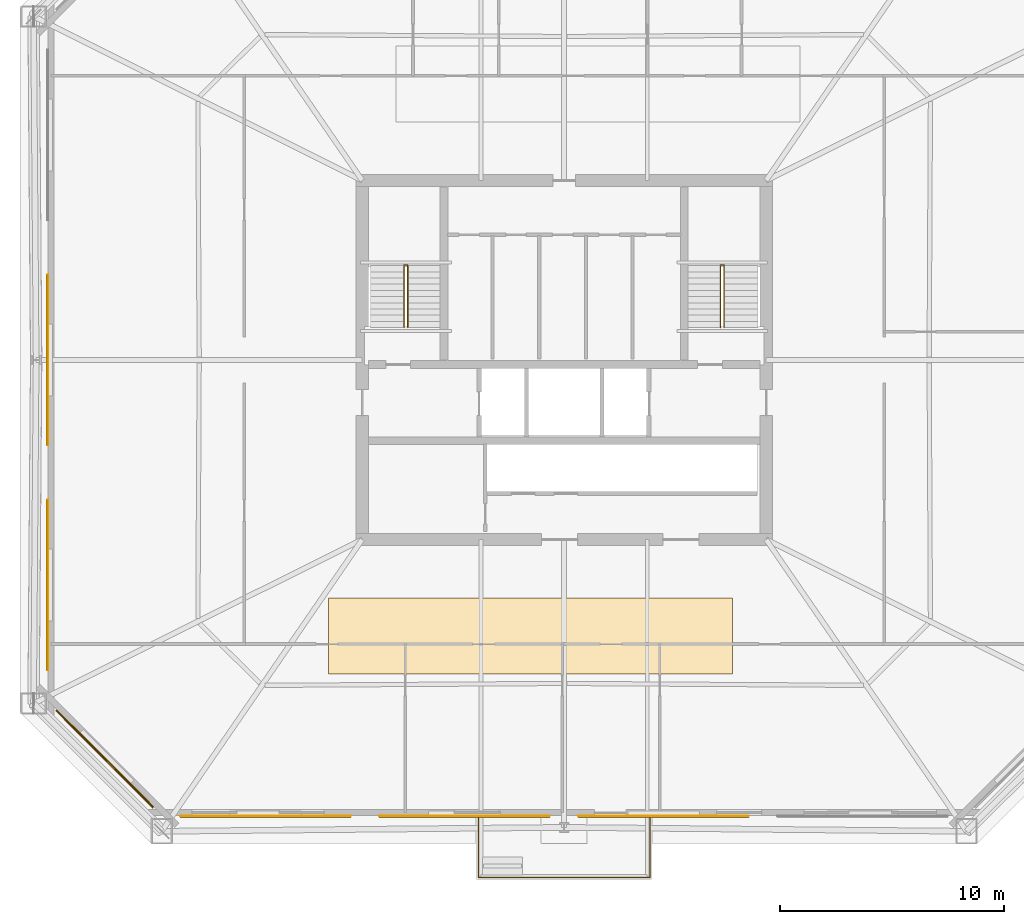
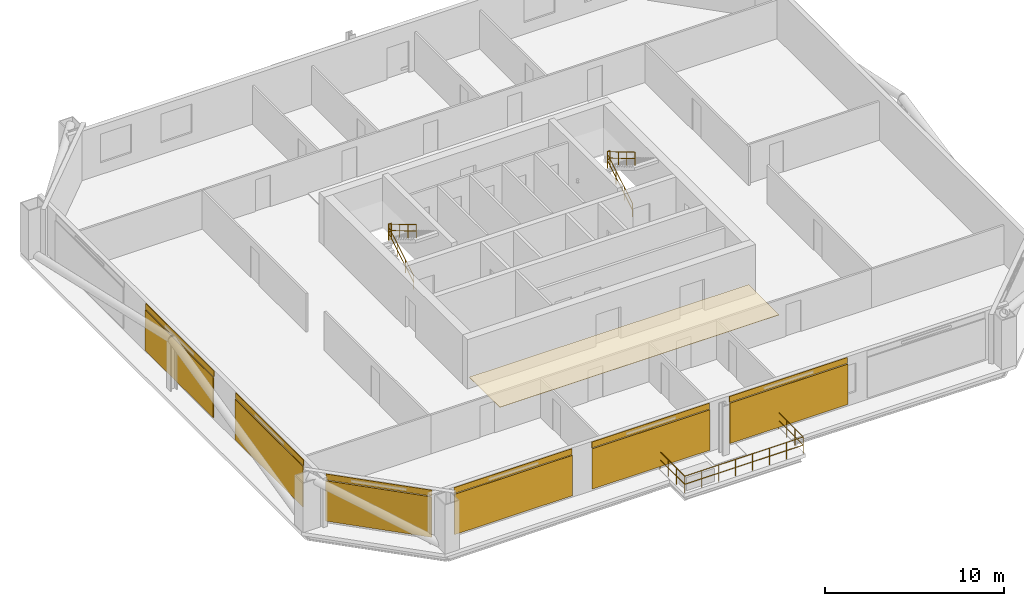
# One storey, part 6 of 7: 7 coverings, 7 railings, 6 shading devices.
"""IFC4 building model written with IfcOpenShell, lengths in metres."""

from ifc_helpers import new_model, si_unit, direction, frame, origin, origin_2d, place, context, subcontext, project, spatial, polyline, rectangle, circle, outline, extrude, material, layer, layer_set, type_object, element, save


model = new_model("IFC4")

# Units and contexts
model_context = context("Model", 3, precision=1e-05, world=origin(), true_north=direction((0.0, 1.0)))
body_context = subcontext(model_context, "Body", "Model", "MODEL_VIEW")
ifc_project = project(units=[si_unit("LENGTHUNIT", "METRE"), si_unit("AREAUNIT", "SQUARE_METRE"), si_unit("VOLUMEUNIT", "CUBIC_METRE"), si_unit("PLANEANGLEUNIT", "RADIAN"), si_unit("MASSUNIT", "GRAM", prefix="KILO")], contexts=[model_context])

# Site, building, storey
site_placement = place(None, origin())
site = spatial("IfcSite", under=ifc_project, at=site_placement, CompositionType="ELEMENT")
building_placement = place(site_placement, origin())
building = spatial("IfcBuilding", under=site, at=building_placement, Name="Caelvoria Tower", CompositionType="ELEMENT")
storey_placement = place(building_placement, frame((0.0, 0.0, 106.0)))
storey = spatial("IfcBuildingStorey", under=building, at=storey_placement, Name="L27", CompositionType="ELEMENT", Elevation=106.0)

# Railing
ifc_material_1 = material(Name="Bronze Anodised Aluminium and Stainless Steel", Category="steel")
railing_type_1 = type_object("IfcRailingType", Name="Exterior Terrace and Balcony Guardrail 1150", PredefinedType="GUARDRAIL", material=ifc_material_1)
railing_1_placement = place(storey_placement, frame((42.179931640625, 11.68994140625, 0.0)))
element("IfcRailing", 1, at=railing_1_placement, inside=storey, type_object=railing_type_1, Name="Tree Balcony Guardrail TB-L27-S", PredefinedType="GUARDRAIL", context=body_context, shape_type="SweptSolid", body=[
    extrude(circle(Radius=0.02392578125, at=origin_2d()), frame((0.0, 0.0, 1.1259765625), z_axis=(0.0, -1.0, 0.0), x_axis=(1.0, 0.0, 0.0)), (0.0, 0.0, 1.0), 2.760009765625),
    extrude(circle(Radius=0.02392578125, at=origin_2d()), frame((0.0, 0.0, 0.574951171875), z_axis=(0.0, -1.0, 0.0), x_axis=(1.0, 0.0, 0.0)), (0.0, 0.0, 1.0), 2.760009765625),
    extrude(circle(Radius=0.02392578125, at=origin_2d()), frame((0.0, -2.760009765625, 1.1259765625), z_axis=(1.0, 0.0, 0.0), x_axis=(0.0, 1.0, 0.0)), (0.0, 0.0, 1.0), 7.64013671875),
    extrude(circle(Radius=0.02392578125, at=origin_2d()), frame((0.0, -2.760009765625, 0.574951171875), z_axis=(1.0, 0.0, 0.0), x_axis=(0.0, 1.0, 0.0)), (0.0, 0.0, 1.0), 7.64013671875),
    extrude(circle(Radius=0.02392578125, at=origin_2d()), frame((7.64013671875, -2.760009765625, 1.1259765625), z_axis=(0.0, 1.0, 0.0), x_axis=(-1.0, 0.0, 0.0)), (0.0, 0.0, 1.0), 2.760009765625),
    extrude(circle(Radius=0.02392578125, at=origin_2d()), frame((7.64013671875, -2.760009765625, 0.574951171875), z_axis=(0.0, 1.0, 0.0), x_axis=(-1.0, 0.0, 0.0)), (0.0, 0.0, 1.0), 2.760009765625),
    extrude(circle(Radius=0.02099609375, at=origin_2d()), origin(), (0.0, 0.0, 1.0), 1.101806640625),
    extrude(circle(Radius=0.02099609375, at=origin_2d()), frame((0.0, -0.919921875, 0.0)), (0.0, 0.0, 1.0), 1.101806640625),
    extrude(circle(Radius=0.02099609375, at=origin_2d()), frame((0.0, -1.840087890625, 0.0)), (0.0, 0.0, 1.0), 1.101806640625),
    extrude(circle(Radius=0.02099609375, at=origin_2d()), frame((0.0, -2.760009765625, 0.0)), (0.0, 0.0, 1.0), 1.101806640625),
    extrude(circle(Radius=0.02099609375, at=origin_2d()), frame((1.091552734375, -2.760009765625, 0.0)), (0.0, 0.0, 1.0), 1.101806640625),
    extrude(circle(Radius=0.02099609375, at=origin_2d()), frame((2.182861328125, -2.760009765625, 0.0)), (0.0, 0.0, 1.0), 1.101806640625),
    extrude(circle(Radius=0.02099609375, at=origin_2d()), frame((3.2744140625, -2.760009765625, 0.0)), (0.0, 0.0, 1.0), 1.101806640625),
    extrude(circle(Radius=0.02099609375, at=origin_2d()), frame((4.36572265625, -2.760009765625, 0.0)), (0.0, 0.0, 1.0), 1.101806640625),
    extrude(circle(Radius=0.02099609375, at=origin_2d()), frame((5.457275390625, -2.760009765625, 0.0)), (0.0, 0.0, 1.0), 1.101806640625),
    extrude(circle(Radius=0.02099609375, at=origin_2d()), frame((6.548583984375, -2.760009765625, 0.0)), (0.0, 0.0, 1.0), 1.101806640625),
    extrude(circle(Radius=0.02099609375, at=origin_2d()), frame((7.64013671875, -2.760009765625, 0.0)), (0.0, 0.0, 1.0), 1.101806640625),
    extrude(circle(Radius=0.02099609375, at=origin_2d()), frame((7.64013671875, -1.840087890625, 0.0)), (0.0, 0.0, 1.0), 1.101806640625),
    extrude(circle(Radius=0.02099609375, at=origin_2d()), frame((7.64013671875, -0.919921875, 0.0)), (0.0, 0.0, 1.0), 1.101806640625),
    extrude(circle(Radius=0.02099609375, at=origin_2d()), frame((7.64013671875, 0.0, 0.0)), (0.0, 0.0, 1.0), 1.101806640625),
])

# Coverings
ifc_material_2 = material(Name="Acoustic Mineral Fibre Tile", Category="gypsum")
ifc_layer_1 = layer(ifc_material_2, 0.02490234375, Name="Acoustic Mineral Fibre Tile")
ifc_layer_set_1 = layer_set([ifc_layer_1], Name="Mineral-Fibre Acoustic Suspended Ceiling 25 - Acoustic Mineral Fibre Tile")
covering_type_1 = type_object("IfcCoveringType", Name="Mineral-Fibre Acoustic Suspended Ceiling 25", PredefinedType="CEILING", material=ifc_layer_set_1)
covering_1_placement = place(storey_placement, frame((0.0, 0.0, 2.635009765625)))
element("IfcCovering", 2, at=covering_1_placement, inside=storey, type_object=covering_type_1, Name="Suspended Acoustic Ceiling L27", PredefinedType="CEILING", context=body_context, shape_type="SweptSolid", body=[
    extrude(outline(polyline([(35.5, 18.0), (53.5, 18.0), (53.5, 21.39990234375), (35.5, 21.39990234375), (35.5, 18.0)])), origin(), (0.0, 0.0, 1.0), 0.02490234375),
])
ifc_material_3 = material(Name="Perforated Architectural Bronze Cladding Screen", Category="bronze")
ifc_layer_2 = layer(ifc_material_3, 0.0400390625, Name="Perforated Architectural Bronze Cladding Screen")
ifc_layer_set_2 = layer_set([ifc_layer_2], Name="Perforated Bronze Louvre Cladding Band 40 - Perforated Architectural Bronze Cladding Screen")
covering_type_2 = type_object("IfcCoveringType", Name="Perforated Bronze Louvre Cladding Band 40", PredefinedType="CLADDING", material=ifc_layer_set_2)
for number, where, z_axis, x_axis, name in (
    (3, (32.695068359375, 11.677978515625, 2.93994140625), (0.0, 0.0, 1.0), (1.0, 0.0, 0.0), "Perforated Bronze Screen Band L27-E0-00"),
    (4, (41.56494140625, 11.677978515625, 2.93994140625), (0.0, 0.0, 1.0), (1.0, 0.0, 0.0), "Perforated Bronze Screen Band L27-E0-01"),
    (5, (50.43505859375, 11.677978515625, 2.93994140625), (0.0, 0.0, 1.0), (1.0, 0.0, 0.0), "Perforated Bronze Screen Band L27-E0-02"),
    (6, (22.97802734375, 32.0, 2.93994140625), (0.0, 0.0, 1.0), (0.0, -1.0, 0.0), "Perforated Bronze Screen Band L27-E6-01"),
    (7, (22.97802734375, 21.973388671875, 2.93994140625), (0.0, 0.0, 1.0), (0.0, -1.0, 0.0), "Perforated Bronze Screen Band L27-E6-02"),
):
    element("IfcCovering", number, at=place(storey_placement, frame(where, z_axis=z_axis, x_axis=x_axis)), inside=storey, type_object=covering_type_2, Name=name, PredefinedType="CLADDING", context=body_context, shape_type="SweptSolid", body=[
        extrude(rectangle(XDim=7.60009765625, YDim=0.0400390625, at=origin_2d()), origin(), (0.0, 0.0, 1.0), 0.39990234375),
    ])
covering_2_placement = place(storey_placement, frame((25.543212890625, 14.243408203125, 2.93994140625), z_axis=(0.0, 0.0, 1.0), x_axis=(0.707106781187, -0.707106781187, 0.0)))
element("IfcCovering", 8, at=covering_2_placement, inside=storey, type_object=covering_type_2, Name="Perforated Bronze Screen Band L27-E7-00", PredefinedType="CLADDING", context=body_context, shape_type="SweptSolid", body=[
    extrude(rectangle(XDim=6.118896484375, YDim=0.0400390625, at=origin_2d()), origin(), (0.0, 0.0, 1.0), 0.39990234375),
])

# Shading devices
ifc_material_4 = material(Name="Perforated Architectural Bronze Alloy Panel", Category="bronze")
ifc_layer_3 = layer(ifc_material_4, 0.044921875, Name="Perforated Architectural Bronze Alloy Panel")
ifc_layer_set_3 = layer_set([ifc_layer_3], Name="Perforated Bronze Solar Screen Panel SCREEN - Perforated Architectural Bronze Alloy Panel")
shading_device_type = type_object("IfcShadingDeviceType", Name="Perforated Bronze Solar Screen Panel SCREEN", PredefinedType="USERDEFINED", material=ifc_layer_set_3)
for number, where, z_axis, x_axis, name in (
    (9, (32.695068359375, 11.635009765625, 0.159912109375), (0.0, 0.0, 1.0), (1.0, 0.0, 0.0), "Perforated Bronze Solar Screen L27-E0-00"),
    (10, (41.56494140625, 11.635009765625, 0.159912109375), (0.0, 0.0, 1.0), (1.0, 0.0, 0.0), "Perforated Bronze Solar Screen L27-E0-01"),
    (11, (50.43505859375, 11.635009765625, 0.159912109375), (0.0, 0.0, 1.0), (1.0, 0.0, 0.0), "Perforated Bronze Solar Screen L27-E0-02"),
    (12, (22.93505859375, 32.0, 0.159912109375), (0.0, 0.0, 1.0), (0.0, -1.0, 0.0), "Perforated Bronze Solar Screen L27-E6-01"),
    (13, (22.93505859375, 21.973388671875, 0.159912109375), (0.0, 0.0, 1.0), (0.0, -1.0, 0.0), "Perforated Bronze Solar Screen L27-E6-02"),
):
    element("IfcShadingDevice", number, at=place(storey_placement, frame(where, z_axis=z_axis, x_axis=x_axis)), inside=storey, type_object=shading_device_type, Name=name, ObjectType="SCREEN", PredefinedType="USERDEFINED", context=body_context, shape_type="SweptSolid", body=[
        extrude(rectangle(XDim=7.60009765625, YDim=0.044921875, at=origin_2d()), origin(), (0.0, 0.0, 1.0), 2.75),
    ])
shading_device_placement = place(storey_placement, frame((25.512939453125, 14.212890625, 0.159912109375), z_axis=(0.0, 0.0, 1.0), x_axis=(0.707106781187, -0.707106781187, 0.0)))
element("IfcShadingDevice", 14, at=shading_device_placement, inside=storey, type_object=shading_device_type, Name="Perforated Bronze Solar Screen L27-E7-00", ObjectType="SCREEN", PredefinedType="USERDEFINED", context=body_context, shape_type="SweptSolid", body=[
    extrude(rectangle(XDim=6.118896484375, YDim=0.044921875, at=origin_2d()), origin(), (0.0, 0.0, 1.0), 2.75),
])

# Railings
ifc_material_5 = material(Name="Brushed Stainless Steel Tube", Category="steel")
railing_type_2 = type_object("IfcRailingType", Name="Stair Tubular Stainless Handrail 920", PredefinedType="HANDRAIL", material=ifc_material_5)
railing_2_placement = place(storey_placement, frame((38.8701171875, 33.449951171875, 0.16357421875)))
element("IfcRailing", 15, at=railing_2_placement, inside=storey, type_object=railing_type_2, Name="ST-01 Flight 1 Handrail L27", PredefinedType="HANDRAIL", context=body_context, shape_type="SweptSolid", body=[
    extrude(circle(Radius=0.02392578125, at=origin_2d()), frame((0.0, 0.0, 0.89599609375), z_axis=(0.0, 0.859351957796, 0.511384603436), x_axis=(-1.0, 0.0, 0.0)), (0.0, 0.0, 1.0), 3.2001953125),
    extrude(circle(Radius=0.02392578125, at=origin_2d()), frame((0.0, 0.0, 0.4599609375), z_axis=(0.0, 0.859351957796, 0.511384603436), x_axis=(-1.0, 0.0, 0.0)), (0.0, 0.0, 1.0), 3.2001953125),
    extrude(circle(Radius=0.02099609375, at=origin_2d()), origin(), (0.0, 0.0, 1.0), 0.871826171875),
    extrude(circle(Radius=0.02099609375, at=origin_2d()), frame((0.0, 0.916748046875, 0.54541015625)), (0.0, 0.0, 1.0), 0.871826171875),
    extrude(circle(Radius=0.02099609375, at=origin_2d()), frame((0.0, 1.833251953125, 1.091064453125)), (0.0, 0.0, 1.0), 0.871826171875),
    extrude(circle(Radius=0.02099609375, at=origin_2d()), frame((0.0, 2.75, 1.636474609375)), (0.0, 0.0, 1.0), 0.871826171875),
])
railing_3_placement = place(storey_placement, frame((39.030029296875, 36.199951171875, 1.963623046875)))
element("IfcRailing", 16, at=railing_3_placement, inside=storey, type_object=railing_type_2, Name="ST-01 Flight 2 Handrail L27", PredefinedType="HANDRAIL", context=body_context, shape_type="SweptSolid", body=[
    extrude(circle(Radius=0.02392578125, at=origin_2d()), frame((0.0, 0.0, 0.89599609375), z_axis=(0.0, -0.859351957796, 0.511384603436), x_axis=(1.0, 0.0, 0.0)), (0.0, 0.0, 1.0), 3.2001953125),
    extrude(circle(Radius=0.02392578125, at=origin_2d()), frame((0.0, 0.0, 0.4599609375), z_axis=(0.0, -0.859351957796, 0.511384603436), x_axis=(1.0, 0.0, 0.0)), (0.0, 0.0, 1.0), 3.2001953125),
    extrude(circle(Radius=0.02099609375, at=origin_2d()), origin(), (0.0, 0.0, 1.0), 0.871826171875),
    extrude(circle(Radius=0.02099609375, at=origin_2d()), frame((0.0, -0.916748046875, 0.54541015625)), (0.0, 0.0, 1.0), 0.871826171875),
    extrude(circle(Radius=0.02099609375, at=origin_2d()), frame((0.0, -1.833251953125, 1.091064453125)), (0.0, 0.0, 1.0), 0.871826171875),
    extrude(circle(Radius=0.02099609375, at=origin_2d()), frame((0.0, -2.75, 1.636474609375)), (0.0, 0.0, 1.0), 0.871826171875),
])
railing_4_placement = place(storey_placement, frame((52.969970703125, 33.449951171875, 0.16357421875)))
element("IfcRailing", 17, at=railing_4_placement, inside=storey, type_object=railing_type_2, Name="ST-02 Flight 1 Handrail L27", PredefinedType="HANDRAIL", context=body_context, shape_type="SweptSolid", body=[
    extrude(circle(Radius=0.02392578125, at=origin_2d()), frame((0.0, 0.0, 0.89599609375), z_axis=(0.0, 0.859351957796, 0.511384603436), x_axis=(-1.0, 0.0, 0.0)), (0.0, 0.0, 1.0), 3.2001953125),
    extrude(circle(Radius=0.02392578125, at=origin_2d()), frame((0.0, 0.0, 0.4599609375), z_axis=(0.0, 0.859351957796, 0.511384603436), x_axis=(-1.0, 0.0, 0.0)), (0.0, 0.0, 1.0), 3.2001953125),
    extrude(circle(Radius=0.02099609375, at=origin_2d()), origin(), (0.0, 0.0, 1.0), 0.871826171875),
    extrude(circle(Radius=0.02099609375, at=origin_2d()), frame((0.0, 0.916748046875, 0.54541015625)), (0.0, 0.0, 1.0), 0.871826171875),
    extrude(circle(Radius=0.02099609375, at=origin_2d()), frame((0.0, 1.833251953125, 1.091064453125)), (0.0, 0.0, 1.0), 0.871826171875),
    extrude(circle(Radius=0.02099609375, at=origin_2d()), frame((0.0, 2.75, 1.636474609375)), (0.0, 0.0, 1.0), 0.871826171875),
])
railing_5_placement = place(storey_placement, frame((53.1298828125, 36.199951171875, 1.963623046875)))
element("IfcRailing", 18, at=railing_5_placement, inside=storey, type_object=railing_type_2, Name="ST-02 Flight 2 Handrail L27", PredefinedType="HANDRAIL", context=body_context, shape_type="SweptSolid", body=[
    extrude(circle(Radius=0.02392578125, at=origin_2d()), frame((0.0, 0.0, 0.89599609375), z_axis=(0.0, -0.859351957796, 0.511384603436), x_axis=(1.0, 0.0, 0.0)), (0.0, 0.0, 1.0), 3.2001953125),
    extrude(circle(Radius=0.02392578125, at=origin_2d()), frame((0.0, 0.0, 0.4599609375), z_axis=(0.0, -0.859351957796, 0.511384603436), x_axis=(1.0, 0.0, 0.0)), (0.0, 0.0, 1.0), 3.2001953125),
    extrude(circle(Radius=0.02099609375, at=origin_2d()), origin(), (0.0, 0.0, 1.0), 0.871826171875),
    extrude(circle(Radius=0.02099609375, at=origin_2d()), frame((0.0, -0.916748046875, 0.54541015625)), (0.0, 0.0, 1.0), 0.871826171875),
    extrude(circle(Radius=0.02099609375, at=origin_2d()), frame((0.0, -1.833251953125, 1.091064453125)), (0.0, 0.0, 1.0), 0.871826171875),
    extrude(circle(Radius=0.02099609375, at=origin_2d()), frame((0.0, -2.75, 1.636474609375)), (0.0, 0.0, 1.0), 0.871826171875),
])
ifc_material_6 = material(Name="Brushed Stainless Steel Guardrail", Category="steel")
railing_type_3 = type_object("IfcRailingType", Name="Stair Well and Ramp Guardrail 1120", PredefinedType="GUARDRAIL", material=ifc_material_6)
for number, where, name in (
    (19, (38.8701171875, 36.239990234375, 1.800048828125), "ST-01 Half-Landing Well Guard L27"),
    (20, (52.969970703125, 36.239990234375, 1.800048828125), "ST-02 Half-Landing Well Guard L27"),
):
    element("IfcRailing", number, at=place(storey_placement, frame(where)), inside=storey, type_object=railing_type_3, Name=name, PredefinedType="GUARDRAIL", context=body_context, shape_type="SweptSolid", body=[
        extrude(circle(Radius=0.02392578125, at=origin_2d()), frame((0.0, 0.0, 1.09619140625), z_axis=(1.0, 0.0, 0.0), x_axis=(0.0, 1.0, 0.0)), (0.0, 0.0, 1.0), 0.159912109375),
        extrude(circle(Radius=0.02392578125, at=origin_2d()), frame((0.0, 0.0, 0.56005859375), z_axis=(1.0, 0.0, 0.0), x_axis=(0.0, 1.0, 0.0)), (0.0, 0.0, 1.0), 0.159912109375),
        extrude(circle(Radius=0.02099609375, at=origin_2d()), origin(), (0.0, 0.0, 1.0), 1.072021484375),
        extrude(circle(Radius=0.02099609375, at=origin_2d()), frame((0.159912109375, 0.0, 0.0)), (0.0, 0.0, 1.0), 1.072021484375),
    ])

save(model, "model.ifc")
